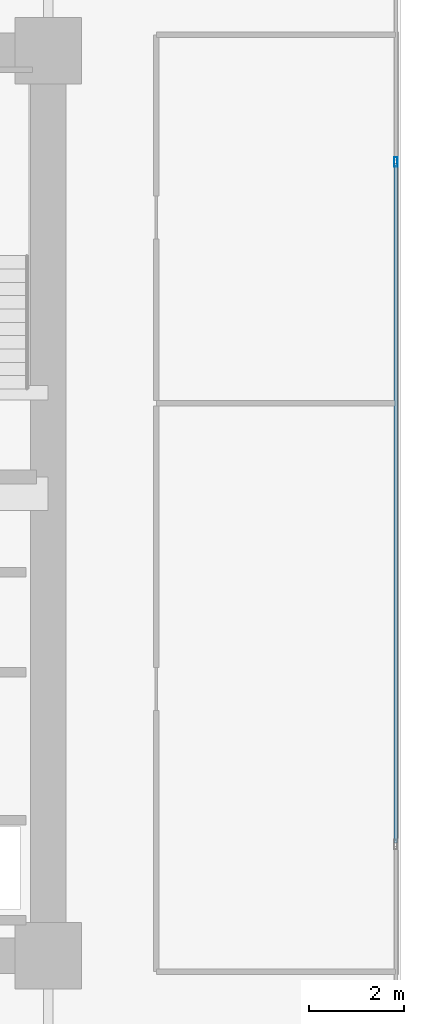
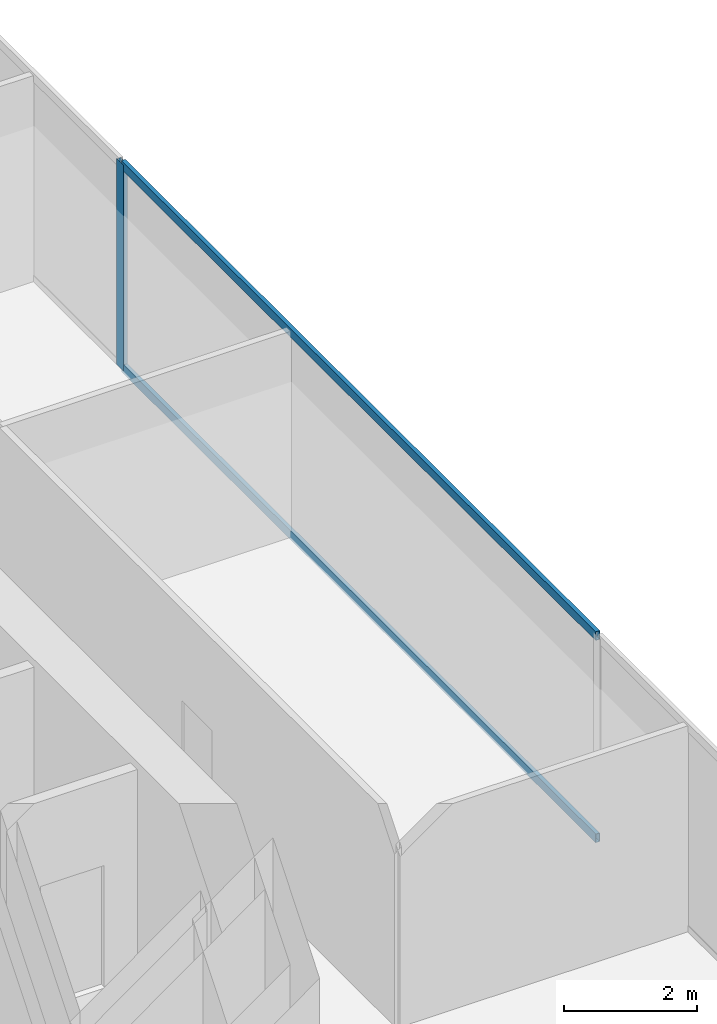
# One storey, part 25 of 36: 3 members, 1 element without a shape of its own.
"""IFC4 building model written with IfcOpenShell, lengths in metres."""

from ifc_helpers import new_model, si_unit, direction, frame, origin, origin_2d, place, context, subcontext, project, spatial, hollow_rectangle, extrude, source, transform, mapped, material, layer, layer_set, material_profile, profile_set, type_object, type_shapes, element, aggregate, save


model = new_model("IFC4")

# Units and contexts
model_context = context("Model", 3, precision=1e-05, world=origin(), true_north=direction((0.0, 1.0)))
body_context = subcontext(model_context, "Body", "Model", "MODEL_VIEW")
ifc_project = project(units=[si_unit("LENGTHUNIT", "METRE"), si_unit("AREAUNIT", "SQUARE_METRE"), si_unit("VOLUMEUNIT", "CUBIC_METRE"), si_unit("PLANEANGLEUNIT", "RADIAN"), si_unit("MASSUNIT", "GRAM", prefix="KILO")], contexts=[model_context])

# Site, building, storey
site_placement = place(None, origin())
site = spatial("IfcSite", under=ifc_project, at=site_placement, CompositionType="ELEMENT")
building_placement = place(site_placement, origin())
building = spatial("IfcBuilding", under=site, at=building_placement, Name="Haelvirn Gate Laboratories", CompositionType="ELEMENT")
storey_placement = place(building_placement, frame((0.0, 0.0, 53.89990234375)))
storey = spatial("IfcBuildingStorey", under=building, at=storey_placement, Name="L13", CompositionType="ELEMENT", Elevation=53.89990234375)

# Curtain wall, members
ifc_material_1 = material(Name="Anodised bronze unitised aluminium & triple low-E glass", Category="aluminium")
ifc_layer = layer(ifc_material_1, 0.18408203125, Name="CW-SYS-2")
ifc_layer_set = layer_set([ifc_layer], Name="Anodised bronze unitised aluminium & triple low-E glass")
curtain_wall_type = type_object("IfcCurtainWallType", Name="CW-SYS-2", PredefinedType="NOTDEFINED", material=ifc_layer_set)
curtain_wall_placement = place(storey_placement, origin())
curtain_wall = element("IfcCurtainWall", 1, at=curtain_wall_placement, inside=storey, type_object=curtain_wall_type, Name="L13 Unitised Curtain Wall CW-L13-P0-E07", PredefinedType="NOTDEFINED")
ifc_material_2 = material(Name="Extruded aluminium 6063-T6 (anodised bronze)", Category="aluminium")
ifc_material_profile_1 = material_profile(ifc_material_2, hollow_rectangle(XDim=0.074951171875, YDim=0.199951171875, WallThickness=0.0048828125, at=origin_2d()), Name="CWM-200x75x5")
ifc_profile_set_1 = profile_set([ifc_material_profile_1], Name="Extruded aluminium 6063-T6 (anodised bronze)")
member_type_1 = type_object("IfcMemberType", Name="CWM-T200", PredefinedType="MULLION", material=ifc_profile_set_1)
shared_shape_1 = source(origin(), body_context, "Body", "SweptSolid", [
    extrude(hollow_rectangle(XDim=0.074951171875, YDim=0.199951171875, WallThickness=0.0048828125, at=origin_2d()), origin(), (0.0, 0.0, 1.0), 3.780029296875),
])
type_shapes(member_type_1, [shared_shape_1])
member_1_placement = place(storey_placement, frame((74.699951171875, 31.466552734375, 0.0), z_axis=(0.0, 0.0, 1.0), x_axis=(-1.0, 0.0, 0.0)))
member_1 = element("IfcMember", 2, at=member_1_placement, type_object=member_type_1, Name="CW2 mullion 3", PredefinedType="MULLION", context=body_context, shape_type="MappedRepresentation", body=[
    mapped(shared_shape_1, transform((0.0, 0.0, 0.0), scale=1.0)),
])
ifc_material_profile_2 = material_profile(ifc_material_2, hollow_rectangle(XDim=0.070068359375, YDim=0.159912109375, WallThickness=0.0048828125, at=origin_2d()), Name="CWT-160x70x5")
ifc_profile_set_2 = profile_set([ifc_material_profile_2], Name="Extruded aluminium 6063-T6 (anodised bronze)")
member_type_2 = type_object("IfcMemberType", Name="CWT-T160", PredefinedType="USERDEFINED", material=ifc_profile_set_2)
shared_shape_2 = source(origin(), body_context, "Body", "SweptSolid", [
    extrude(hollow_rectangle(XDim=0.070068359375, YDim=0.159912109375, WallThickness=0.0048828125, at=origin_2d()), origin(), (0.0, 0.0, 1.0), 14.25830078125),
])
type_shapes(member_type_2, [shared_shape_2])
member_2_placement = place(storey_placement, frame((74.699951171875, 17.1708984375, 0.03515625), z_axis=(0.0, 1.0, 0.0), x_axis=(-1.0, 0.0, 0.0)))
member_2 = element("IfcMember", 3, at=member_2_placement, type_object=member_type_2, Name="CW2 transom 2.1", ObjectType="TRANSOM", PredefinedType="USERDEFINED", context=body_context, shape_type="MappedRepresentation", body=[
    mapped(shared_shape_2, transform((0.0, 0.0, 0.0), scale=1.0)),
])
member_3_placement = place(storey_placement, frame((74.699951171875, 17.1708984375, 3.7451171875), z_axis=(0.0, 1.0, 0.0), x_axis=(-1.0, 0.0, 0.0)))
member_3 = element("IfcMember", 4, at=member_3_placement, type_object=member_type_2, Name="CW2 transom 2.2", ObjectType="TRANSOM", PredefinedType="USERDEFINED", context=body_context, shape_type="MappedRepresentation", body=[
    mapped(shared_shape_2, transform((0.0, 0.0, 0.0), scale=1.0)),
])
aggregate(curtain_wall, [member_1, member_2, member_3])

save(model, "model.ifc")
